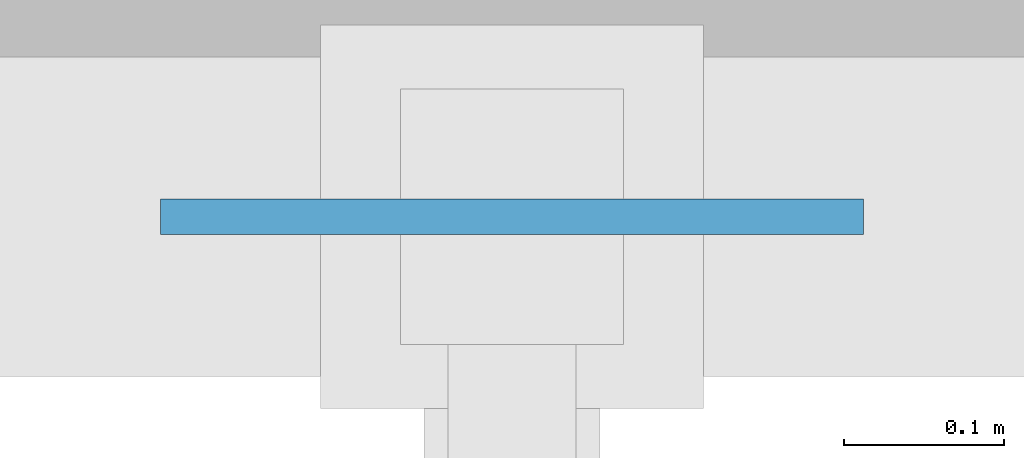
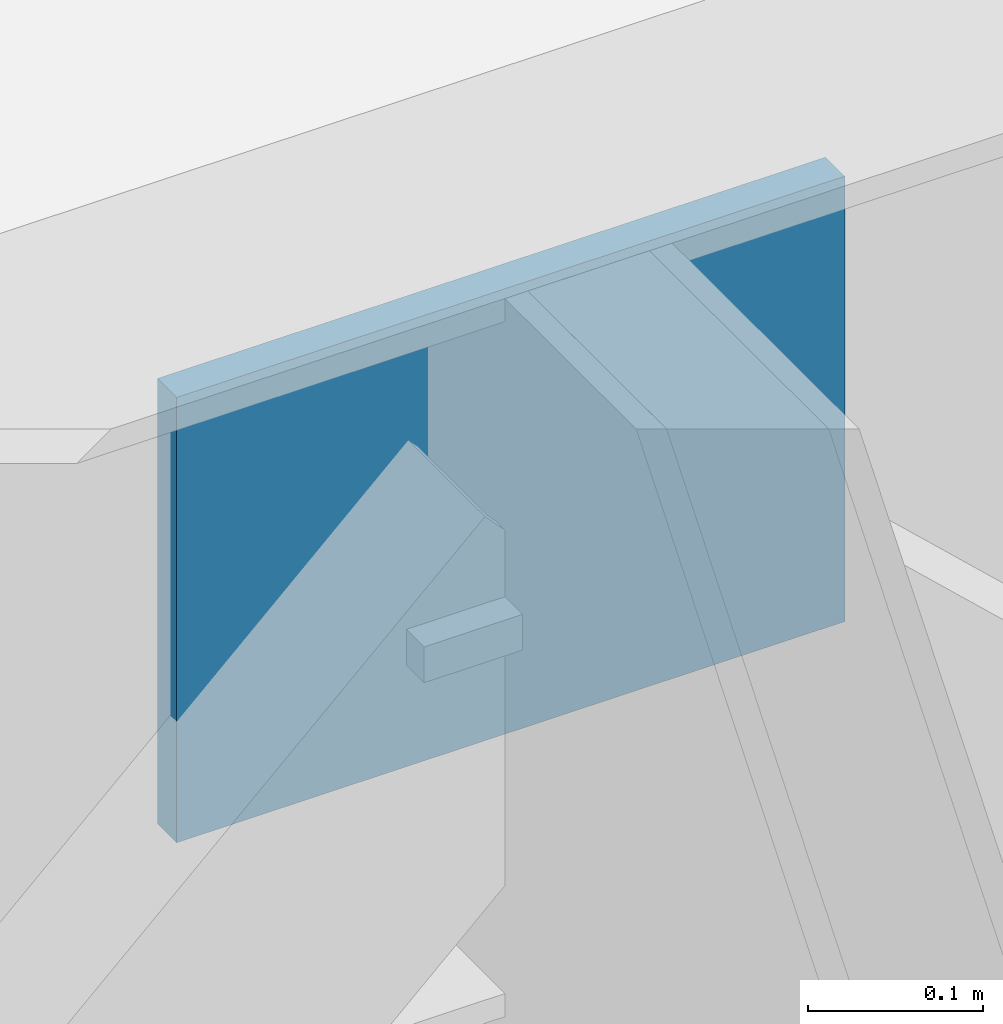
# One storey, part 78 of 122: 1 plate.
"""IFC4 building model written with IfcOpenShell, lengths in metres."""

from ifc_helpers import new_model, si_unit, direction, frame, origin, origin_2d, place, context, subcontext, project, spatial, rectangle, extrude, material, layer, layer_set, type_object, element, save


model = new_model("IFC4")

# Units and contexts
model_context = context("Model", 3, precision=1e-05, world=origin(), true_north=direction((0.0, 1.0)))
body_context = subcontext(model_context, "Body", "Model", "MODEL_VIEW")
ifc_project = project(units=[si_unit("LENGTHUNIT", "METRE"), si_unit("AREAUNIT", "SQUARE_METRE"), si_unit("VOLUMEUNIT", "CUBIC_METRE"), si_unit("PLANEANGLEUNIT", "RADIAN"), si_unit("MASSUNIT", "GRAM", prefix="KILO")], contexts=[model_context])

# Site, building, storey
site_placement = place(None, origin())
site = spatial("IfcSite", under=ifc_project, at=site_placement, CompositionType="ELEMENT")
building_placement = place(site_placement, origin())
building = spatial("IfcBuilding", under=site, at=building_placement, Name="Sundkrona Museum", CompositionType="ELEMENT")
storey_placement = place(building_placement, frame((0.0, 0.0, 5.39990234375)))
storey = spatial("IfcBuildingStorey", under=building, at=storey_placement, Name="L01", CompositionType="ELEMENT", Elevation=5.39990234375)

# Plate
ifc_material = material(Name="Steel S355J2", Category="steel")
ifc_layer = layer(ifc_material, 0.02197265625)
ifc_layer_set = layer_set([ifc_layer], Name="Steel S355J2")
plate_type = type_object("IfcPlateType", Name="GP-5", PredefinedType="USERDEFINED", material=ifc_layer_set)
plate_placement = place(storey_placement, frame((68.0, 78.0, 3.5849609375), z_axis=(0.0, 0.0, 1.0), x_axis=(1.0, 0.0, 0.0)))
element("IfcPlate", 1, at=plate_placement, inside=storey, type_object=plate_type, Name="L01 Chevron Apex Gusset Plate 020", ObjectType="GUSSET PLATE", PredefinedType="USERDEFINED", context=body_context, shape_type="SweptSolid", body=[
    extrude(rectangle(XDim=0.43994140625, YDim=0.02197265625, at=origin_2d()), origin(), (0.0, 0.0, 1.0), 0.31005859375),
])

save(model, "model.ifc")
